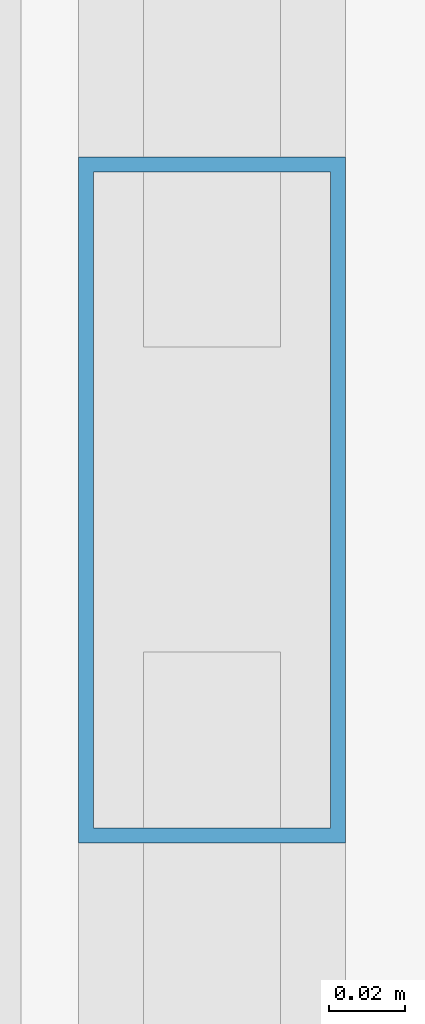
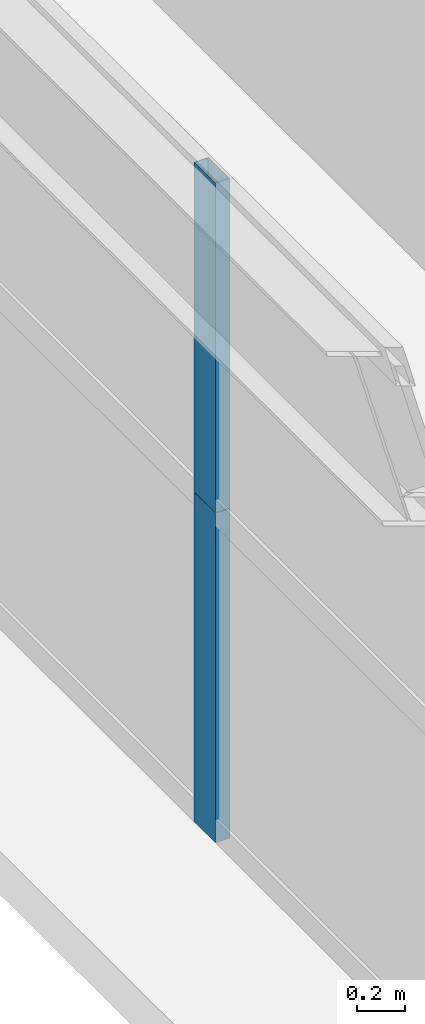
# One storey, part 23 of 43: 2 members, 1 element without a shape of its own.
"""IFC4 building model written with IfcOpenShell, lengths in metres."""

from ifc_helpers import new_model, si_unit, direction, frame, origin, origin_2d, place, context, subcontext, project, spatial, hollow_rectangle, extrude, source, transform, mapped, material, layer, layer_set, material_profile, profile_set, type_object, element, aggregate, save


model = new_model("IFC4")

# Units and contexts
model_context = context("Model", 3, precision=1e-05, world=origin(), true_north=direction((0.0, 1.0)))
body_context = subcontext(model_context, "Body", "Model", "MODEL_VIEW")
ifc_project = project(units=[si_unit("LENGTHUNIT", "METRE"), si_unit("AREAUNIT", "SQUARE_METRE"), si_unit("VOLUMEUNIT", "CUBIC_METRE"), si_unit("PLANEANGLEUNIT", "RADIAN"), si_unit("MASSUNIT", "GRAM", prefix="KILO"), si_unit("THERMODYNAMICTEMPERATUREUNIT", "KELVIN"), si_unit("POWERUNIT", "WATT")], contexts=[model_context])

# Site, building, storey
site_placement = place(None, origin())
site = spatial("IfcSite", under=ifc_project, at=site_placement, CompositionType="ELEMENT")
building_placement = place(site_placement, origin())
building = spatial("IfcBuilding", under=site, at=building_placement, Name="Yuzanri Waterfront Tower", CompositionType="ELEMENT")
storey_placement = place(building_placement, frame((0.0, 0.0, 159.60009765625)))
storey = spatial("IfcBuildingStorey", under=building, at=storey_placement, Name="L42", CompositionType="ELEMENT", Elevation=159.60009765625)

# Curtain wall, members
ifc_material_1 = material(Name="Anodized Architectural Bronze", Category="metal")
ifc_layer = layer(ifc_material_1, 0.159912109375)
ifc_layer_set = layer_set([ifc_layer], Name="Anodized Architectural Bronze")
curtain_wall_type = type_object("IfcCurtainWallType", Name="Anodized Bronze Hotel Upper-Tier Solar-Control Unitized Curtain Wall 7800", PredefinedType="NOTDEFINED", material=ifc_layer_set)
curtain_wall_placement = place(storey_placement, origin())
curtain_wall = element("IfcCurtainWall", 1, at=curtain_wall_placement, inside=storey, type_object=curtain_wall_type, Name="L42 Curtain Wall CW-L42-WR", PredefinedType="NOTDEFINED")
ifc_material_2 = material(Name="Anodized Architectural Bronze", Category="metal")
ifc_material_profile = material_profile(ifc_material_2, hollow_rectangle(XDim=0.070068359375, YDim=0.179931640625, WallThickness=0.00390625, at=origin_2d()), Name="CWM 70x180")
ifc_profile_set = profile_set([ifc_material_profile], Name="Anodized Architectural Bronze")
member_type = type_object("IfcMemberType", Name="Anodized Bronze Standard Curtain-Wall Mullion 70x180", PredefinedType="MULLION", material=ifc_profile_set)
shared_shape = source(origin(), body_context, "Body", "SweptSolid", [
    extrude(hollow_rectangle(XDim=0.070068359375, YDim=0.179931640625, WallThickness=0.00390625, at=origin_2d()), origin(), (0.0, 0.0, 1.0), 1.68798828125),
])
member_1_placement = place(storey_placement, frame((13.550048828125, 34.14990234375, 0.0), z_axis=(0.0, 0.0, 1.0), x_axis=(1.0, 0.0, 0.0)))
member_1 = element("IfcMember", 2, at=member_1_placement, type_object=member_type, Name="CW-L42-WR Lower Mullion 01", PredefinedType="MULLION", context=body_context, shape_type="MappedRepresentation", body=[
    mapped(shared_shape, transform((0.0, 0.0, 0.0), scale=1.0)),
])
member_2_placement = place(storey_placement, frame((13.550048828125, 34.14990234375, 1.69189453125), z_axis=(0.0, 0.0, 1.0), x_axis=(1.0, 0.0, 0.0)))
member_2 = element("IfcMember", 3, at=member_2_placement, type_object=member_type, Name="CW-L42-WR Upper Mullion 01", PredefinedType="MULLION", context=body_context, shape_type="MappedRepresentation", body=[
    mapped(shared_shape, transform((0.0, 0.0, 0.0), scale=1.0)),
])
aggregate(curtain_wall, [member_1, member_2])

save(model, "model.ifc")
